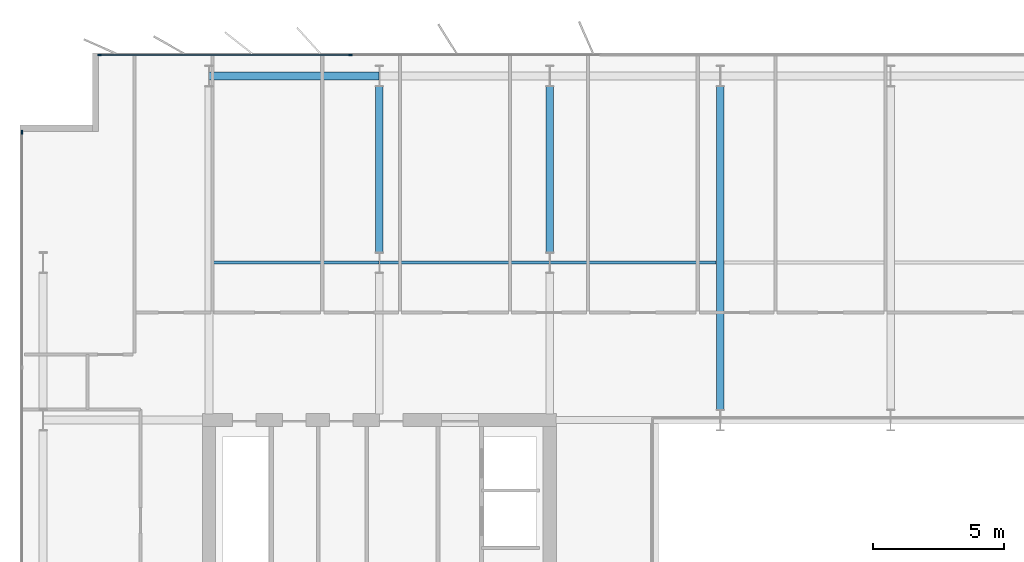
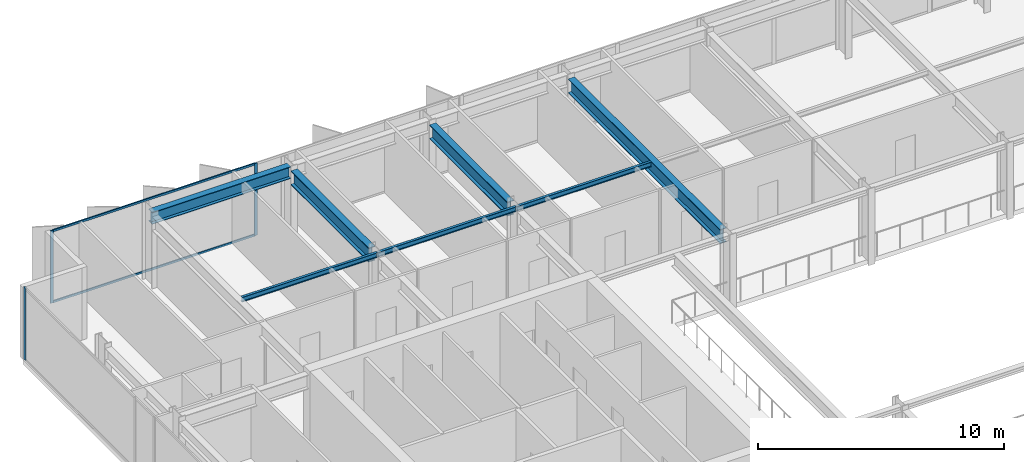
# One storey, part 10 of 24: 7 beams, 5 members, 2 elements without a shape of their own.
"""IFC4 building model written with IfcOpenShell, lengths in metres."""

from ifc_helpers import new_model, si_unit, direction, frame, origin, origin_2d, place, context, subcontext, project, spatial, rectangle, i_section, extrude, material, layer, layer_set, material_profile, profile_set, type_object, element, aggregate, save


model = new_model("IFC4")

# Units and contexts
model_context = context("Model", 3, precision=1e-05, world=origin(), true_north=direction((0.0, 1.0)))
body_context = subcontext(model_context, "Body", "Model", "MODEL_VIEW")
ifc_project = project(units=[si_unit("LENGTHUNIT", "METRE"), si_unit("AREAUNIT", "SQUARE_METRE"), si_unit("VOLUMEUNIT", "CUBIC_METRE"), si_unit("PLANEANGLEUNIT", "RADIAN"), si_unit("MASSUNIT", "GRAM", prefix="KILO")], contexts=[model_context])

# Site, building, storey
site_placement = place(None, origin())
site = spatial("IfcSite", under=ifc_project, at=site_placement, CompositionType="ELEMENT")
building_placement = place(site_placement, origin())
building = spatial("IfcBuilding", under=site, at=building_placement, Name="Putna Gate Headquarters", CompositionType="ELEMENT")
storey_placement = place(building_placement, frame((0.0, 0.0, 248.0)))
storey = spatial("IfcBuildingStorey", under=building, at=storey_placement, Name="L62", CompositionType="ELEMENT", Elevation=248.0)

# Beams
ifc_material_1 = material(Name="Steel S355J2", Category="steel")
ifc_material_profile_1 = material_profile(ifc_material_1, i_section(OverallWidth=0.300048828125, OverallDepth=0.699951171875, WebThickness=0.01708984375, FlangeThickness=0.031982421875, at=origin_2d()), Name="Steel S355J2")
ifc_profile_set_1 = profile_set([ifc_material_profile_1], Name="Steel S355J2")
beam_type_1 = type_object("IfcBeamType", Name="BM-GIRD-B-HEB700", PredefinedType="USERDEFINED", material=ifc_profile_set_1)
for number, where, z_axis, x_axis, name in (
    (1, (19.5, 39.39501953125, 3.22998046875), (0.0, 1.0, 0.0), (-1.0, 0.0, 0.0), "L62 North Primary Girder X19-2"),
    (2, (26.0, 39.39501953125, 3.22998046875), (0.0, 1.0, 0.0), (-1.0, 0.0, 0.0), "L62 North Primary Girder X26-2"),
):
    element("IfcBeam", number, at=place(storey_placement, frame(where, z_axis=z_axis, x_axis=x_axis)), inside=storey, type_object=beam_type_1, Name=name, ObjectType="GIRDER", PredefinedType="USERDEFINED", context=body_context, shape_type="SweptSolid", body=[
        extrude(i_section(OverallWidth=0.300048828125, OverallDepth=0.699951171875, WebThickness=0.01708984375, FlangeThickness=0.031982421875, at=origin_2d()), origin(), (0.0, 0.0, 1.0), 6.330078125),
    ])
beam_1_placement = place(storey_placement, frame((32.5, 33.39501953125, 3.22998046875), z_axis=(0.0, 1.0, 0.0), x_axis=(-1.0, 0.0, 0.0)))
element("IfcBeam", 3, at=beam_1_placement, inside=storey, type_object=beam_type_1, Name="L62 North Primary Girder X32", ObjectType="GIRDER", PredefinedType="USERDEFINED", context=body_context, shape_type="SweptSolid", body=[
    extrude(i_section(OverallWidth=0.300048828125, OverallDepth=0.699951171875, WebThickness=0.01708984375, FlangeThickness=0.031982421875, at=origin_2d()), origin(), (0.0, 0.0, 1.0), 12.330078125),
])
ifc_material_profile_2 = material_profile(ifc_material_1, i_section(OverallWidth=0.1201171875, OverallDepth=0.239990234375, WebThickness=0.006103515625, FlangeThickness=0.009765625, at=origin_2d()), Name="Steel S355J2")
ifc_profile_set_2 = profile_set([ifc_material_profile_2], Name="Steel S355J2")
beam_type_2 = type_object("IfcBeamType", Name="BM-SEC-Z4-IPE240", PredefinedType="JOIST", material=ifc_profile_set_2)
beam_2_placement = place(storey_placement, frame((13.154052734375, 39.0, 3.4599609375), z_axis=(1.0, 0.0, 0.0), x_axis=(0.0, 1.0, 0.0)))
element("IfcBeam", 4, at=beam_2_placement, inside=storey, type_object=beam_type_2, Name="L62 North Secondary Beam 1", PredefinedType="JOIST", context=body_context, shape_type="SweptSolid", body=[
    extrude(i_section(OverallWidth=0.1201171875, OverallDepth=0.239990234375, WebThickness=0.006103515625, FlangeThickness=0.009765625, at=origin_2d()), origin(), (0.0, 0.0, 1.0), 6.33984375),
])
beam_3_placement = place(storey_placement, frame((19.506103515625, 39.0, 3.4599609375), z_axis=(1.0, 0.0, 0.0), x_axis=(0.0, 1.0, 0.0)))
element("IfcBeam", 5, at=beam_3_placement, inside=storey, type_object=beam_type_2, Name="L62 North Secondary Beam 2", PredefinedType="JOIST", context=body_context, shape_type="SweptSolid", body=[
    extrude(i_section(OverallWidth=0.1201171875, OverallDepth=0.239990234375, WebThickness=0.006103515625, FlangeThickness=0.009765625, at=origin_2d()), origin(), (0.0, 0.0, 1.0), 6.48779296875),
])
beam_4_placement = place(storey_placement, frame((26.006103515625, 39.0, 3.4599609375), z_axis=(1.0, 0.0, 0.0), x_axis=(0.0, 1.0, 0.0)))
element("IfcBeam", 6, at=beam_4_placement, inside=storey, type_object=beam_type_2, Name="L62 North Secondary Beam 3", PredefinedType="JOIST", context=body_context, shape_type="SweptSolid", body=[
    extrude(i_section(OverallWidth=0.1201171875, OverallDepth=0.239990234375, WebThickness=0.006103515625, FlangeThickness=0.009765625, at=origin_2d()), origin(), (0.0, 0.0, 1.0), 6.33984375),
])
ifc_material_profile_3 = material_profile(ifc_material_1, i_section(OverallWidth=0.300048828125, OverallDepth=0.590087890625, WebThickness=0.012939453125, FlangeThickness=0.02490234375, at=origin_2d()), Name="Steel S355J2")
ifc_profile_set_3 = profile_set([ifc_material_profile_3], Name="Steel S355J2")
beam_type_3 = type_object("IfcBeamType", Name="BM-SPAN-Z4-HEA600", PredefinedType="SPANDREL", material=ifc_profile_set_3)
beam_5_placement = place(storey_placement, frame((13.006103515625, 46.1201171875, 3.284912109375), z_axis=(1.0, 0.0, 0.0), x_axis=(0.0, 1.0, 0.0)))
element("IfcBeam", 7, at=beam_5_placement, inside=storey, type_object=beam_type_3, Name="L62 N Perimeter Spandrel 1", PredefinedType="SPANDREL", context=body_context, shape_type="SweptSolid", body=[
    extrude(i_section(OverallWidth=0.300048828125, OverallDepth=0.590087890625, WebThickness=0.012939453125, FlangeThickness=0.02490234375, at=origin_2d()), origin(), (0.0, 0.0, 1.0), 6.48779296875),
])

# Curtain wall, members
ifc_material_2 = material(Name="Anodised bronze aluminium curtain wall", Category="aluminium")
ifc_layer = layer(ifc_material_2, 0.139892578125)
ifc_layer_set = layer_set([ifc_layer], Name="Anodised bronze aluminium curtain wall")
curtain_wall_type = type_object("IfcCurtainWallType", Name="CW-SYS-Z4", PredefinedType="USERDEFINED", material=ifc_layer_set)
curtain_wall_1_placement = place(storey_placement, origin())
curtain_wall_1 = element("IfcCurtainWall", 8, at=curtain_wall_1_placement, inside=storey, type_object=curtain_wall_type, Name="L62 North West Curtain Wall", ObjectType="STICK CURTAIN WALL", PredefinedType="USERDEFINED")
ifc_material_3 = material(Name="Anodised bronze aluminium EN AW-6060", Category="aluminium")
ifc_material_profile_4 = material_profile(ifc_material_3, rectangle(XDim=0.06005859375, YDim=0.139892578125, at=origin_2d()), Name="Anodised bronze aluminium EN AW-6060")
ifc_profile_set_4 = profile_set([ifc_material_profile_4], Name="Anodised bronze aluminium EN AW-6060")
member_type_1 = type_object("IfcMemberType", Name="MULL-CWM-4", PredefinedType="MULLION", material=ifc_profile_set_4)
member_1_placement = place(storey_placement, frame((8.830078125, 46.919921875, 0.0), z_axis=(0.0, 0.0, 1.0), x_axis=(0.0, 1.0, 0.0)))
member_1 = element("IfcMember", 9, at=member_1_placement, type_object=member_type_1, Name="CWS-4 mullion 1", PredefinedType="MULLION", context=body_context, shape_type="SweptSolid", body=[
    extrude(rectangle(XDim=0.06005859375, YDim=0.139892578125, at=origin_2d()), origin(), (0.0, 0.0, 1.0), 3.580078125),
])
member_2_placement = place(storey_placement, frame((18.39990234375, 46.919921875, 0.0), z_axis=(0.0, 0.0, 1.0), x_axis=(0.0, 1.0, 0.0)))
member_2 = element("IfcMember", 10, at=member_2_placement, type_object=member_type_1, Name="CWS-4 mullion 2", PredefinedType="MULLION", context=body_context, shape_type="SweptSolid", body=[
    extrude(rectangle(XDim=0.06005859375, YDim=0.139892578125, at=origin_2d()), origin(), (0.0, 0.0, 1.0), 3.580078125),
])

# Curtain wall, member
curtain_wall_2_placement = place(storey_placement, origin())
curtain_wall_2 = element("IfcCurtainWall", 11, at=curtain_wall_2_placement, inside=storey, type_object=curtain_wall_type, Name="L62 West Curtain Wall", ObjectType="STICK CURTAIN WALL", PredefinedType="USERDEFINED")
member_3_placement = place(storey_placement, frame((5.8798828125, 43.969970703125, 0.0), z_axis=(0.0, 0.0, 1.0), x_axis=(-1.0, 0.0, 0.0)))
member_3 = element("IfcMember", 12, at=member_3_placement, type_object=member_type_1, Name="CWS-4 mullion 5", PredefinedType="MULLION", context=body_context, shape_type="SweptSolid", body=[
    extrude(rectangle(XDim=0.06005859375, YDim=0.139892578125, at=origin_2d()), origin(), (0.0, 0.0, 1.0), 3.580078125),
])
aggregate(curtain_wall_2, [member_3])

# Member
ifc_material_profile_5 = material_profile(ifc_material_3, rectangle(XDim=0.06005859375, YDim=0.10009765625, at=origin_2d()), Name="Anodised bronze aluminium EN AW-6060")
ifc_profile_set_5 = profile_set([ifc_material_profile_5], Name="Anodised bronze aluminium EN AW-6060")
member_type_2 = type_object("IfcMemberType", Name="TRAN-CWT-4", PredefinedType="USERDEFINED", material=ifc_profile_set_5)
member_4_placement = place(storey_placement, frame((8.860107421875, 46.919921875, 0.030029296875), z_axis=(1.0, 0.0, 0.0), x_axis=(0.0, 1.0, 0.0)))
member_4 = element("IfcMember", 13, at=member_4_placement, type_object=member_type_2, Name="CWS-4 transom 1.1", ObjectType="TRANSOM", PredefinedType="USERDEFINED", context=body_context, shape_type="SweptSolid", body=[
    extrude(rectangle(XDim=0.06005859375, YDim=0.10009765625, at=origin_2d()), origin(), (0.0, 0.0, 1.0), 9.510009765625),
])

member_5_placement = place(storey_placement, frame((8.860107421875, 46.919921875, 3.550048828125), z_axis=(1.0, 0.0, 0.0), x_axis=(0.0, 1.0, 0.0)))
member_5 = element("IfcMember", 14, at=member_5_placement, type_object=member_type_2, Name="CWS-4 transom 1.2", ObjectType="TRANSOM", PredefinedType="USERDEFINED", context=body_context, shape_type="SweptSolid", body=[
    extrude(rectangle(XDim=0.06005859375, YDim=0.10009765625, at=origin_2d()), origin(), (0.0, 0.0, 1.0), 9.510009765625),
])

aggregate(curtain_wall_1, [member_1, member_2, member_4, member_5])

save(model, "model.ifc")
